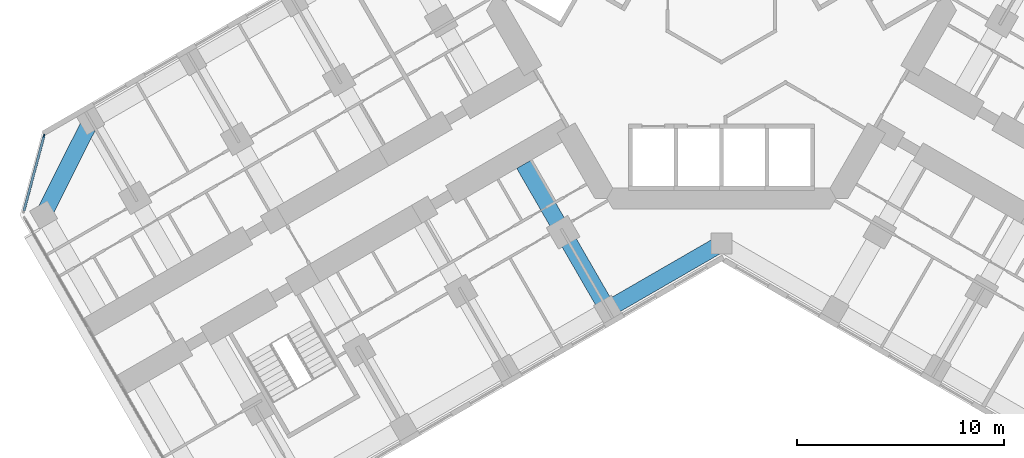
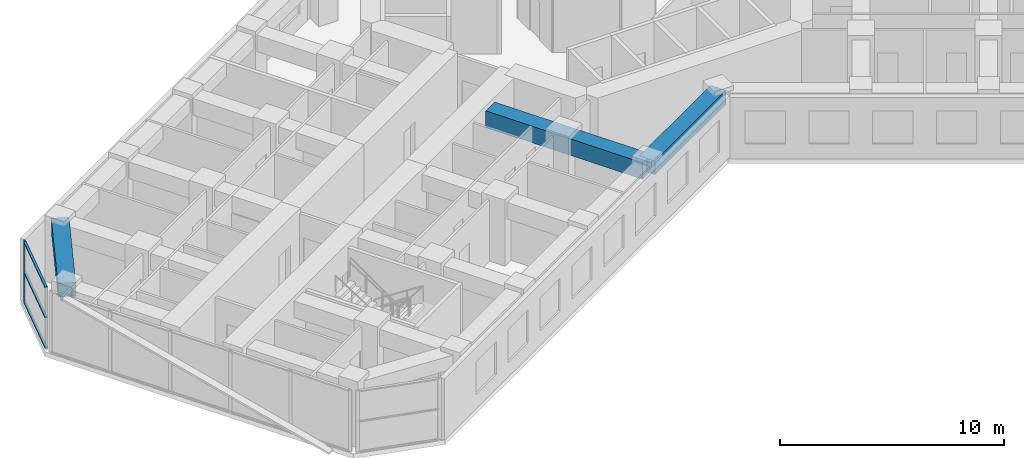
# One storey, part 3 of 21: 4 members, 3 beams, 1 element without a shape of its own.
"""IFC4 building model written with IfcOpenShell, lengths in metres."""

import ifcopenshell
import ifcopenshell.guid

model = None  # the IFC model being written
_history = None  # IfcOwnerHistory: only IFC2X3 demands one
_inside = {}  # id of a spatial element -> (the spatial element, [elements in it])
_under = {}  # id of a project, library or spatial element -> (it, [spatial elements below it])
_declared = {}  # id of a project -> (the project, [libraries it declares])
_typed = {}  # id of a type object -> (the type object, [elements of that type])
_made_of = {}  # id of a material, layer set ... -> (it, [elements and type objects made of it])


def new_model(schema):
    """Start an empty IFC model of exactly this schema.

    Asked for "IFC4X3", IfcOpenShell would pick the latest addendum, in which some entities
    have other attributes; the version numbers below select the first issue.
    IFC2X3 requires an IfcOwnerHistory on every rooted entity: one is made here for all.
    """
    global model, _history
    if schema == "IFC4X3":
        model = ifcopenshell.file(schema_version=(4, 3, 0, 0))
    else:
        model = ifcopenshell.file(schema=schema)
    _inside.clear()
    _under.clear()
    _declared.clear()
    _typed.clear()
    _made_of.clear()
    _history = None
    if model.schema == "IFC2X3":
        org = make("IfcOrganization", Name="unknown")
        user = make(
            "IfcPersonAndOrganization",
            ThePerson=make("IfcPerson", FamilyName="unknown"),
            TheOrganization=org,
        )
        app = make(
            "IfcApplication",
            ApplicationDeveloper=org,
            Version="unknown",
            ApplicationFullName="unknown",
            ApplicationIdentifier="unknown",
        )
        _history = make(
            "IfcOwnerHistory",
            OwningUser=user,
            OwningApplication=app,
            ChangeAction="ADDED",
            CreationDate=0,
        )
    return model


def make(cls, **values):
    """One entity of the class cls with the attributes given. An attribute that is None is left unset."""
    return model.create_entity(
        cls, **{name: value for name, value in values.items() if value is not None}
    )


def rooted(cls, **values):
    """An entity with a GlobalId (a new one), such as an element, a storey or a relation."""
    return make(cls, GlobalId=ifcopenshell.guid.new(), OwnerHistory=_history, **values)


def si_unit(unit_type, name, prefix=None):
    """IfcSIUnit, for example si_unit("LENGTHUNIT", "METRE", prefix="MILLI")."""
    return make("IfcSIUnit", UnitType=unit_type, Prefix=prefix, Name=name)


def assignment(units):
    """IfcUnitAssignment: the units of a project."""
    return None if units is None else make("IfcUnitAssignment", Units=units)


def point(xyz):
    """IfcCartesianPoint."""
    return None if xyz is None else make("IfcCartesianPoint", Coordinates=xyz)


def direction(xyz):
    """IfcDirection."""
    return None if xyz is None else make("IfcDirection", DirectionRatios=xyz)


def frame(location, z_axis=None, x_axis=None):
    """IfcAxis2Placement3D, a coordinate frame: its origin and axes. An axis left out is left unset."""
    return make(
        "IfcAxis2Placement3D",
        Location=point(location),
        Axis=direction(z_axis),
        RefDirection=direction(x_axis),
    )


def frame_2d(location, x_axis=None):
    """IfcAxis2Placement2D, a coordinate frame in the plane: its origin and x axis."""
    return make(
        "IfcAxis2Placement2D", Location=point(location), RefDirection=direction(x_axis)
    )


def origin():
    """The frame at (0, 0, 0) with its axes left unset."""
    return frame((0.0, 0.0, 0.0))


def origin_2d():
    """The frame at (0, 0) in the plane with its x axis left unset."""
    return frame_2d((0.0, 0.0))


def place(relative_to, where):
    """IfcLocalPlacement: puts the frame where relative to a parent placement (None: the world)."""
    return make(
        "IfcLocalPlacement", PlacementRelTo=relative_to, RelativePlacement=where
    )


def context(
    kind, dimensions, precision=None, world=None, true_north=None, identifier=None
):
    """IfcGeometricRepresentationContext, for example the 3D "Model" context."""
    return make(
        "IfcGeometricRepresentationContext",
        ContextIdentifier=identifier,
        ContextType=kind,
        CoordinateSpaceDimension=dimensions,
        Precision=precision,
        WorldCoordinateSystem=world,
        TrueNorth=true_north,
    )


def subcontext(parent, identifier, kind, view, scale=None):
    """IfcGeometricRepresentationSubContext, for example "Body" below "Model"."""
    return make(
        "IfcGeometricRepresentationSubContext",
        ContextIdentifier=identifier,
        ContextType=kind,
        ParentContext=parent,
        TargetScale=scale,
        TargetView=view,
    )


def project(units=None, contexts=None):
    """IfcProject with its units and contexts."""
    return rooted(
        "IfcProject",
        Name="project",
        RepresentationContexts=contexts,
        UnitsInContext=assignment(units),
    )


def spatial(cls, under=None, at=None, **own):
    """A site, building, storey or space (cls), placed at a placement, below another one or the project."""
    s = rooted(cls, ObjectPlacement=at, **own)
    if under is not None:
        _under.setdefault(under.id(), (under, []))[1].append(s)
    return s


def profile(cls, at=None, kind="AREA", **sizes):
    """A parametric profile (cls). Its sizes go by their IFC names, for example OverallWidth=200.0."""
    return make(cls, ProfileType=kind, Position=at, **sizes)


def rectangle(**sizes):
    """IfcRectangleProfileDef."""
    return profile("IfcRectangleProfileDef", **sizes)


def extrude(swept, where, along, depth):
    """IfcExtrudedAreaSolid: the profile swept, set in the frame where, extruded along a direction by depth."""
    return make(
        "IfcExtrudedAreaSolid",
        SweptArea=swept,
        Position=where,
        ExtrudedDirection=direction(along),
        Depth=depth,
    )


def shape(context_of_items, identifier, shape_type, items):
    """IfcShapeRepresentation: the items that make up one representation, for example the "Body"."""
    return make(
        "IfcShapeRepresentation",
        ContextOfItems=context_of_items,
        RepresentationIdentifier=identifier,
        RepresentationType=shape_type,
        Items=items,
    )


def material(Name=None, Category=None):
    """IfcMaterial."""
    return make("IfcMaterial", Name=Name, Category=Category)


def material_profile(
    of_material, cross_section, Name=None, Category=None, Priority=None
):
    """IfcMaterialProfile: a cross section and its material."""
    return make(
        "IfcMaterialProfile",
        Name=Name,
        Material=of_material,
        Profile=cross_section,
        Priority=Priority,
        Category=Category,
    )


def profile_set(profiles, Name=None, composite=None):
    """IfcMaterialProfileSet."""
    return make(
        "IfcMaterialProfileSet",
        Name=Name,
        MaterialProfiles=profiles,
        CompositeProfile=composite,
    )


def made_of(thing, what):
    """Note that an element or type object is made of a material, layer set ...; save() writes the relation."""
    if what is not None:
        _made_of.setdefault(what.id(), (what, []))[1].append(thing)
    return thing


def type_object(cls, material=None, **own):
    """A type object (cls), such as IfcWallType, which elements share."""
    return made_of(rooted(cls, **own), material)


def element(
    cls,
    number,
    at=None,
    inside=None,
    cuts=None,
    type_object=None,
    material=None,
    context=None,
    identifier="Body",
    shape_type=None,
    held_by="IfcProductDefinitionShape",
    body=None,
    shapes=None,
    **own,
):
    """One element of the class cls, such as IfcWall. Its Tag is "e" and its number.

    at: its placement. inside: the storey or other place that contains it. cuts: it is an
    opening in that element (IfcRelVoidsElement). A single representation is given by context,
    identifier, shape_type and body (its items); several are given by shapes. held_by: the class
    of the entity that holds the representations. save() writes the other relations.
    """
    e = rooted(cls, Tag="e%d" % number, ObjectPlacement=at, **own)
    if body is not None:
        shapes = [shape(context, identifier, shape_type, body)]
    if shapes is not None:
        e.Representation = make(held_by, Representations=shapes)
    if inside is not None:
        _inside.setdefault(inside.id(), (inside, []))[1].append(e)
    if cuts is not None:
        rooted(
            "IfcRelVoidsElement", RelatingBuildingElement=cuts, RelatedOpeningElement=e
        )
    if type_object is not None:
        _typed.setdefault(type_object.id(), (type_object, []))[1].append(e)
    return made_of(e, material)


def aggregate(whole, parts):
    """IfcRelAggregates: a whole, such as a stair, and the parts it consists of."""
    return rooted("IfcRelAggregates", RelatingObject=whole, RelatedObjects=parts)


def save(model, path):
    """Write the relations noted so far, then the file.

    IfcRelAggregates (storeys below a building ...), IfcRelContainedInSpatialStructure (elements
    in a storey), IfcRelDefinesByType, IfcRelAssociatesMaterial and IfcRelDeclares: one each for
    every whole, place, type object, material and project.
    """
    for whole, parts in _under.values():
        aggregate(whole, parts)
    for where, things in _inside.values():
        rooted(
            "IfcRelContainedInSpatialStructure",
            RelatedElements=things,
            RelatingStructure=where,
        )
    for kind, things in _typed.values():
        rooted("IfcRelDefinesByType", RelatedObjects=things, RelatingType=kind)
    for what, things in _made_of.values():
        rooted("IfcRelAssociatesMaterial", RelatedObjects=things, RelatingMaterial=what)
    for by, libraries in _declared.values():
        rooted("IfcRelDeclares", RelatingContext=by, RelatedDefinitions=libraries)
    model.write(path)


model = new_model("IFC4")

# Units and contexts
model_context = context("Model", 3, precision=1e-05, world=origin(), true_north=direction((0.0, 1.0)))
body_context = subcontext(model_context, "Body", "Model", "MODEL_VIEW")
ifc_project = project(units=[si_unit("LENGTHUNIT", "METRE"), si_unit("AREAUNIT", "SQUARE_METRE"), si_unit("VOLUMEUNIT", "CUBIC_METRE"), si_unit("PLANEANGLEUNIT", "RADIAN"), si_unit("MASSUNIT", "GRAM", prefix="KILO")], contexts=[model_context])

# Site, building, storey
site_placement = place(None, origin())
site = spatial("IfcSite", under=ifc_project, at=site_placement, CompositionType="ELEMENT")
building_placement = place(site_placement, origin())
building = spatial("IfcBuilding", under=site, at=building_placement, Name="Kosmar Iwan School Tower", CompositionType="ELEMENT")
storey_placement = place(building_placement, frame((0.0, 0.0, 50.199951171875)))
storey = spatial("IfcBuildingStorey", under=building, at=storey_placement, Name="L11", CompositionType="ELEMENT", Elevation=50.199951171875)

# Curtain wall, member
ifc_material_1 = material(Name="Dark glass in black aluminium frame", Category="aluminium")
curtain_wall_type = type_object("IfcCurtainWallType", Name="Chamfer curtain wall dark glass", PredefinedType="USERDEFINED", material=ifc_material_1)
curtain_wall_placement = place(storey_placement, origin())
curtain_wall = element("IfcCurtainWall", 1, at=curtain_wall_placement, inside=storey, type_object=curtain_wall_type, Name="Curtain wall L11-F12", ObjectType="FACETED CURTAIN WALL", PredefinedType="USERDEFINED")
ifc_material_2 = material(Name="Black anodised aluminium", Category="aluminium")
ifc_material_profile_1 = material_profile(ifc_material_2, rectangle(XDim=0.06005859375, YDim=0.159912109375, at=origin_2d()), Name="MULLION 60x160")
ifc_profile_set_1 = profile_set([ifc_material_profile_1], Name="Black anodised aluminium")
member_type_1 = type_object("IfcMemberType", Name="Mullion 60x160", PredefinedType="MULLION", material=ifc_profile_set_1)
member_1_placement = place(storey_placement, frame((-32.78076171875, -6.5732421875, 0.0), z_axis=(0.0, 0.0, 1.0), x_axis=(0.965925875495, -0.258818861462, 0.0)))
member_1 = element("IfcMember", 2, at=member_1_placement, type_object=member_type_1, Name="CW2 mullion 1", PredefinedType="MULLION", context=body_context, shape_type="SweptSolid", body=[
    extrude(rectangle(XDim=0.06005859375, YDim=0.159912109375, at=origin_2d()), origin(), (0.0, 0.0, 1.0), 3.35009765625),
])

# Beams
ifc_material_3 = material(Name="Concrete C50/60", Category="concrete")
ifc_material_profile_2 = material_profile(ifc_material_3, rectangle(XDim=0.800048828125, YDim=0.75, at=origin_2d()), Name="RC 800x750")
ifc_profile_set_2 = profile_set([ifc_material_profile_2], Name="Concrete C50/60")
beam_type_1 = type_object("IfcBeamType", Name="RC edge beam 800x750", PredefinedType="BEAM", material=ifc_profile_set_2)
beam_1_placement = place(storey_placement, frame((0.0, -11.77783203125, 2.97509765625), z_axis=(-0.866014293216, -0.500019243575, 0.0), x_axis=(0.500019243575, -0.866014293216, 0.0)))
element("IfcBeam", 3, at=beam_1_placement, inside=storey, type_object=beam_type_1, Name="Edge beam BL1", PredefinedType="BEAM", context=body_context, shape_type="SweptSolid", body=[
    extrude(rectangle(XDim=0.800048828125, YDim=0.75, at=origin_2d()), origin(), (0.0, 0.0, 1.0), 6.361083984375),
])
ifc_material_4 = material(Name="Concrete C50/60", Category="concrete")
ifc_material_profile_3 = material_profile(ifc_material_4, rectangle(XDim=0.800048828125, YDim=0.75, at=origin_2d()), Name="RC 800x750")
ifc_profile_set_3 = profile_set([ifc_material_profile_3], Name="Concrete C50/60")
beam_type_2 = type_object("IfcBeamType", Name="RC tip beam 800x750", PredefinedType="BEAM", material=ifc_profile_set_3)
beam_2_placement = place(storey_placement, frame((-30.517822265625, -5.841552734375, 2.97509765625), z_axis=(-0.44809604203, -0.893985423325, 0.0), x_axis=(0.893985423325, -0.44809604203, 0.0)))
element("IfcBeam", 4, at=beam_2_placement, inside=storey, type_object=beam_type_2, Name="Tip beam BR", PredefinedType="BEAM", context=body_context, shape_type="SweptSolid", body=[
    extrude(rectangle(XDim=0.800048828125, YDim=0.75, at=origin_2d()), origin(), (0.0, 0.0, 1.0), 5.08935546875),
])
ifc_material_5 = material(Name="Concrete C50/60", Category="concrete")
ifc_material_profile_4 = material_profile(ifc_material_5, rectangle(XDim=0.800048828125, YDim=0.89990234375, at=origin_2d()), Name="RC 800x900")
ifc_profile_set_4 = profile_set([ifc_material_profile_4], Name="Concrete C50/60")
beam_type_3 = type_object("IfcBeamType", Name="RC transverse beam 800x900", PredefinedType="BEAM", material=ifc_profile_set_4)
beam_3_placement = place(storey_placement, frame((-5.5087890625, -14.95849609375, 2.900146484375), z_axis=(-0.499999880539, 0.866025472755, 0.0), x_axis=(-0.866025472755, -0.499999880539, 0.0)))
element("IfcBeam", 5, at=beam_3_placement, inside=storey, type_object=beam_type_3, Name="Transverse beam BL1", PredefinedType="BEAM", context=body_context, shape_type="SweptSolid", body=[
    extrude(rectangle(XDim=0.800048828125, YDim=0.89990234375, at=origin_2d()), origin(), (0.0, 0.0, 1.0), 8.10009765625),
])

# Member
ifc_material_6 = material(Name="Black anodised aluminium", Category="aluminium")
ifc_material_profile_5 = material_profile(ifc_material_6, rectangle(XDim=0.1201171875, YDim=0.06005859375, at=origin_2d()), Name="TRANSOM 60x120")
ifc_profile_set_5 = profile_set([ifc_material_profile_5], Name="Black anodised aluminium")
member_type_2 = type_object("IfcMemberType", Name="Transom 60x120", PredefinedType="USERDEFINED", material=ifc_profile_set_5)
member_2_placement = place(storey_placement, frame((-32.788330078125, -6.602294921875, 0.030029296875), z_axis=(-0.258843273983, -0.965919333854, 0.0), x_axis=(0.965919333854, -0.258843273983, 0.0)))
member_2 = element("IfcMember", 6, at=member_2_placement, type_object=member_type_2, Name="CW2 transom 1.1", ObjectType="TRANSOM", PredefinedType="USERDEFINED", context=body_context, shape_type="SweptSolid", body=[
    extrude(rectangle(XDim=0.1201171875, YDim=0.06005859375, at=origin_2d()), origin(), (0.0, 0.0, 1.0), 3.718994140625),
])

member_3_placement = place(storey_placement, frame((-32.788330078125, -6.602294921875, 1.675048828125), z_axis=(-0.258843273983, -0.965919333854, 0.0), x_axis=(0.965919333854, -0.258843273983, 0.0)))
member_3 = element("IfcMember", 7, at=member_3_placement, type_object=member_type_2, Name="CW2 transom 1.2", ObjectType="TRANSOM", PredefinedType="USERDEFINED", context=body_context, shape_type="SweptSolid", body=[
    extrude(rectangle(XDim=0.1201171875, YDim=0.06005859375, at=origin_2d()), origin(), (0.0, 0.0, 1.0), 3.718994140625),
])

member_4_placement = place(storey_placement, frame((-32.788330078125, -6.602294921875, 3.320068359375), z_axis=(-0.258843273983, -0.965919333854, 0.0), x_axis=(0.965919333854, -0.258843273983, 0.0)))
member_4 = element("IfcMember", 8, at=member_4_placement, type_object=member_type_2, Name="CW2 transom 1.3", ObjectType="TRANSOM", PredefinedType="USERDEFINED", context=body_context, shape_type="SweptSolid", body=[
    extrude(rectangle(XDim=0.1201171875, YDim=0.06005859375, at=origin_2d()), origin(), (0.0, 0.0, 1.0), 3.718994140625),
])

aggregate(curtain_wall, [member_1, member_2, member_3, member_4])

save(model, "model.ifc")
